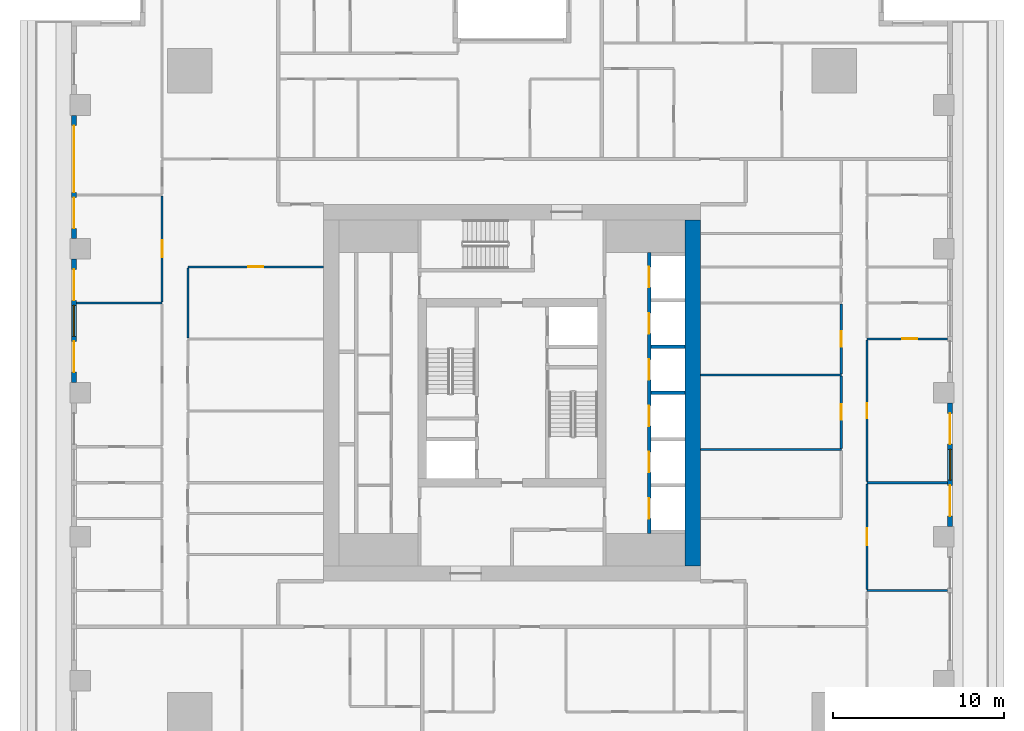
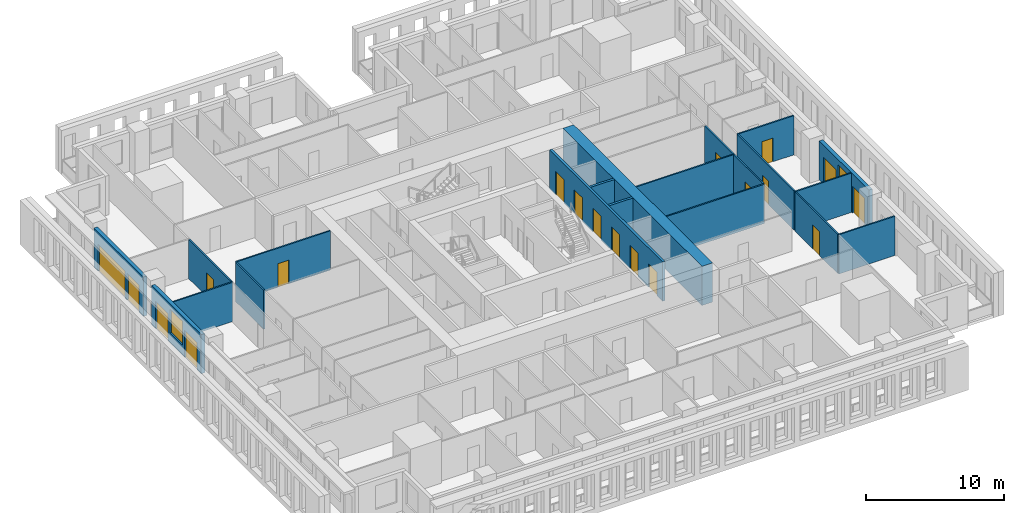
# One storey, part 6 of 16: 20 walls, 19 doors, 2 windows, 21 openings.
"""IFC4 building model written with IfcOpenShell, lengths in metres."""

from ifc_helpers import new_model, si_unit, direction, frame, frame_2d, origin, place, context, subcontext, project, spatial, rectangle, extrude, material, layer, layer_set, type_object, element, fill, save


model = new_model("IFC4")

# Units and contexts
model_context = context("Model", 3, precision=1e-05, world=origin(), true_north=direction((0.0, 1.0)))
body_context = subcontext(model_context, "Body", "Model", "MODEL_VIEW")
ifc_project = project(units=[si_unit("LENGTHUNIT", "METRE"), si_unit("AREAUNIT", "SQUARE_METRE"), si_unit("VOLUMEUNIT", "CUBIC_METRE"), si_unit("PLANEANGLEUNIT", "RADIAN"), si_unit("MASSUNIT", "GRAM", prefix="KILO")], contexts=[model_context])

# Site, building, storey
site_placement = place(None, origin())
site = spatial("IfcSite", under=ifc_project, at=site_placement, CompositionType="ELEMENT")
building_placement = place(site_placement, origin())
building = spatial("IfcBuilding", under=site, at=building_placement, Name="Khepri Terraces", CompositionType="ELEMENT")
storey_placement = place(building_placement, frame((0.0, 0.0, 137.699951171875)))
storey = spatial("IfcBuildingStorey", under=building, at=storey_placement, Name="L32", CompositionType="ELEMENT", Elevation=137.699951171875)

# Wall, openings, doors
ifc_material_1 = material(Name="Concrete C60/75", Category="concrete")
ifc_layer_1 = layer(ifc_material_1, 0.199951171875, Name="Concrete C60/75", Category="concrete")
ifc_layer_set_1 = layer_set([ifc_layer_1], Name="Concrete C60/75")
wall_type_1 = type_object("IfcWallType", Name="Core wall 200 C60/75", PredefinedType="SHEAR", material=ifc_layer_set_1)
wall_1_placement = place(storey_placement, frame((8.0, -8.199951171875, 0.0), z_axis=(0.0, 0.0, 1.0), x_axis=(0.0, 1.0, 0.0)))
wall_1 = element("IfcWall", 1, at=wall_1_placement, inside=storey, type_object=wall_type_1, Name="Core wall SH02 L32", PredefinedType="SHEAR", context=body_context, shape_type="SweptSolid", body=[
    extrude(rectangle(XDim=16.39990234375, YDim=0.199951171875, at=frame_2d((8.199951171875, 0.0))), origin(), (0.0, 0.0, 1.0), 3.47998046875),
])
opening_1_placement = place(wall_1_placement, frame((0.85009765625, 0.0, 0.0)))
opening_1 = element("IfcOpeningElement", 2, at=opening_1_placement, cuts=wall_1, Name="Opening L32-C01", PredefinedType="OPENING", context=body_context, shape_type="SweptSolid", body=[
    extrude(rectangle(XDim=1.199951171875, YDim=2.10009765625, at=frame_2d((0.60009765625, 1.050048828125))), frame((0.0, 0.10986328125, 0.0), z_axis=(0.0, -1.0, 0.0), x_axis=(1.0, 0.0, 0.0)), (0.0, 0.0, 1.0), 0.219970703125),
])
opening_2_placement = place(wall_1_placement, frame((3.550048828125, 0.0, 0.0)))
opening_2 = element("IfcOpeningElement", 3, at=opening_2_placement, cuts=wall_1, Name="Opening L32-C02", PredefinedType="OPENING", context=body_context, shape_type="SweptSolid", body=[
    extrude(rectangle(XDim=1.199951171875, YDim=2.10009765625, at=frame_2d((0.60009765625, 1.050048828125))), frame((0.0, 0.10986328125, 0.0), z_axis=(0.0, -1.0, 0.0), x_axis=(1.0, 0.0, 0.0)), (0.0, 0.0, 1.0), 0.219970703125),
])
opening_3_placement = place(wall_1_placement, frame((6.25, 0.0, 0.0)))
opening_3 = element("IfcOpeningElement", 4, at=opening_3_placement, cuts=wall_1, Name="Opening L32-C03", PredefinedType="OPENING", context=body_context, shape_type="SweptSolid", body=[
    extrude(rectangle(XDim=1.199951171875, YDim=2.10009765625, at=frame_2d((0.60009765625, 1.050048828125))), frame((0.0, 0.10986328125, 0.0), z_axis=(0.0, -1.0, 0.0), x_axis=(1.0, 0.0, 0.0)), (0.0, 0.0, 1.0), 0.219970703125),
])
opening_4_placement = place(wall_1_placement, frame((8.949951171875, 0.0, 0.0)))
opening_4 = element("IfcOpeningElement", 5, at=opening_4_placement, cuts=wall_1, Name="Opening L32-C04", PredefinedType="OPENING", context=body_context, shape_type="SweptSolid", body=[
    extrude(rectangle(XDim=1.199951171875, YDim=2.10009765625, at=frame_2d((0.60009765625, 1.050048828125))), frame((0.0, 0.10986328125, 0.0), z_axis=(0.0, -1.0, 0.0), x_axis=(1.0, 0.0, 0.0)), (0.0, 0.0, 1.0), 0.219970703125),
])
opening_5_placement = place(wall_1_placement, frame((11.64990234375, 0.0, 0.0)))
opening_5 = element("IfcOpeningElement", 6, at=opening_5_placement, cuts=wall_1, Name="Opening L32-C05", PredefinedType="OPENING", context=body_context, shape_type="SweptSolid", body=[
    extrude(rectangle(XDim=1.199951171875, YDim=2.10009765625, at=frame_2d((0.60009765625, 1.050048828125))), frame((0.0, 0.10986328125, 0.0), z_axis=(0.0, -1.0, 0.0), x_axis=(1.0, 0.0, 0.0)), (0.0, 0.0, 1.0), 0.219970703125),
])
opening_6_placement = place(wall_1_placement, frame((14.35009765625, 0.0, 0.0)))
opening_6 = element("IfcOpeningElement", 7, at=opening_6_placement, cuts=wall_1, Name="Opening L32-C06", PredefinedType="OPENING", context=body_context, shape_type="SweptSolid", body=[
    extrude(rectangle(XDim=1.199951171875, YDim=2.10009765625, at=frame_2d((0.60009765625, 1.050048828125))), frame((0.0, 0.10986328125, 0.0), z_axis=(0.0, -1.0, 0.0), x_axis=(1.0, 0.0, 0.0)), (0.0, 0.0, 1.0), 0.219970703125),
])
ifc_material_2 = material(Name="Stainless steel 304", Category="steel")
door_type_1 = type_object("IfcDoorType", Name="DR-CORE-LANDING-1200", OperationType="NOTDEFINED", PredefinedType="DOOR", material=ifc_material_2)
door_1_placement = place(opening_1_placement, origin())
door_1 = element("IfcDoor", 8, at=door_1_placement, inside=storey, type_object=door_type_1, Name="Lift landing door L32-C01", OperationType="SLIDING_TO_LEFT", OverallHeight=2.10009765625, OverallWidth=1.199951171875, PredefinedType="DOOR", context=body_context, shape_type="SweptSolid", body=[
    extrude(rectangle(XDim=1.199951171875, YDim=2.10009765625, at=frame_2d((0.60009765625, 1.050048828125))), frame((0.0, 0.02490234375, 0.0), z_axis=(0.0, -1.0, 0.0), x_axis=(1.0, 0.0, 0.0)), (0.0, 0.0, 1.0), 0.050048828125),
])
fill(opening_1, door_1)
door_2_placement = place(opening_2_placement, origin())
door_2 = element("IfcDoor", 9, at=door_2_placement, inside=storey, type_object=door_type_1, Name="Lift landing door L32-C02", OperationType="SLIDING_TO_LEFT", OverallHeight=2.10009765625, OverallWidth=1.199951171875, PredefinedType="DOOR", context=body_context, shape_type="SweptSolid", body=[
    extrude(rectangle(XDim=1.199951171875, YDim=2.10009765625, at=frame_2d((0.60009765625, 1.050048828125))), frame((0.0, 0.02490234375, 0.0), z_axis=(0.0, -1.0, 0.0), x_axis=(1.0, 0.0, 0.0)), (0.0, 0.0, 1.0), 0.050048828125),
])
fill(opening_2, door_2)
door_3_placement = place(opening_3_placement, origin())
door_3 = element("IfcDoor", 10, at=door_3_placement, inside=storey, type_object=door_type_1, Name="Lift landing door L32-C03", OperationType="SLIDING_TO_LEFT", OverallHeight=2.10009765625, OverallWidth=1.199951171875, PredefinedType="DOOR", context=body_context, shape_type="SweptSolid", body=[
    extrude(rectangle(XDim=1.199951171875, YDim=2.10009765625, at=frame_2d((0.60009765625, 1.050048828125))), frame((0.0, 0.02490234375, 0.0), z_axis=(0.0, -1.0, 0.0), x_axis=(1.0, 0.0, 0.0)), (0.0, 0.0, 1.0), 0.050048828125),
])
fill(opening_3, door_3)
door_4_placement = place(opening_4_placement, origin())
door_4 = element("IfcDoor", 11, at=door_4_placement, inside=storey, type_object=door_type_1, Name="Lift landing door L32-C04", OperationType="SLIDING_TO_LEFT", OverallHeight=2.10009765625, OverallWidth=1.199951171875, PredefinedType="DOOR", context=body_context, shape_type="SweptSolid", body=[
    extrude(rectangle(XDim=1.199951171875, YDim=2.10009765625, at=frame_2d((0.60009765625, 1.050048828125))), frame((0.0, 0.02490234375, 0.0), z_axis=(0.0, -1.0, 0.0), x_axis=(1.0, 0.0, 0.0)), (0.0, 0.0, 1.0), 0.050048828125),
])
fill(opening_4, door_4)
door_5_placement = place(opening_5_placement, origin())
door_5 = element("IfcDoor", 12, at=door_5_placement, inside=storey, type_object=door_type_1, Name="Lift landing door L32-C05", OperationType="SLIDING_TO_LEFT", OverallHeight=2.10009765625, OverallWidth=1.199951171875, PredefinedType="DOOR", context=body_context, shape_type="SweptSolid", body=[
    extrude(rectangle(XDim=1.199951171875, YDim=2.10009765625, at=frame_2d((0.60009765625, 1.050048828125))), frame((0.0, 0.02490234375, 0.0), z_axis=(0.0, -1.0, 0.0), x_axis=(1.0, 0.0, 0.0)), (0.0, 0.0, 1.0), 0.050048828125),
])
fill(opening_5, door_5)
door_6_placement = place(opening_6_placement, origin())
door_6 = element("IfcDoor", 13, at=door_6_placement, inside=storey, type_object=door_type_1, Name="Lift landing door L32-C06", OperationType="SLIDING_TO_LEFT", OverallHeight=2.10009765625, OverallWidth=1.199951171875, PredefinedType="DOOR", context=body_context, shape_type="SweptSolid", body=[
    extrude(rectangle(XDim=1.199951171875, YDim=2.10009765625, at=frame_2d((0.60009765625, 1.050048828125))), frame((0.0, 0.02490234375, 0.0), z_axis=(0.0, -1.0, 0.0), x_axis=(1.0, 0.0, 0.0)), (0.0, 0.0, 1.0), 0.050048828125),
])
fill(opening_6, door_6)

# Walls
for number, where, z_axis, x_axis, name in (
    (14, (8.10009765625, 0.0, 0.0), (0.0, 0.0, 1.0), (1.0, 0.0, 0.0), "Core wall SH09 L32"),
    (15, (8.10009765625, 2.699951171875, 0.0), (0.0, 0.0, 1.0), (1.0, 0.0, 0.0), "Core wall SH13 L32"),
):
    element("IfcWall", number, at=place(storey_placement, frame(where, z_axis=z_axis, x_axis=x_axis)), inside=storey, type_object=wall_type_1, Name=name, PredefinedType="SHEAR", context=body_context, shape_type="SweptSolid", body=[
        extrude(rectangle(XDim=2.0, YDim=0.199951171875, at=frame_2d((1.0, 0.0))), origin(), (0.0, 0.0, 1.0), 3.47998046875),
    ])
ifc_layer_2 = layer(ifc_material_1, 0.89990234375, Name="Concrete C60/75", Category="concrete")
ifc_layer_set_2 = layer_set([ifc_layer_2], Name="Concrete C60/75")
wall_type_2 = type_object("IfcWallType", Name="Core wall 900 C60/75", PredefinedType="SHEAR", material=ifc_layer_set_2)
wall_2_placement = place(storey_placement, frame((10.550048828125, -10.10009765625, 0.0), z_axis=(0.0, 0.0, 1.0), x_axis=(0.0, 1.0, 0.0)))
element("IfcWall", 16, at=wall_2_placement, inside=storey, type_object=wall_type_2, Name="Core wall OW-E L32", PredefinedType="SHEAR", context=body_context, shape_type="SweptSolid", body=[
    extrude(rectangle(XDim=20.2001953125, YDim=0.89990234375, at=frame_2d((10.10009765625, 0.0))), origin(), (0.0, 0.0, 1.0), 3.47998046875),
])

# Wall, openings, doors, window
ifc_material_3 = material(Name="Precast concrete C50/60 warm stone", Category="masonry")
ifc_layer_3 = layer(ifc_material_3, 0.300048828125, Name="Precast concrete C50/60 warm stone", Category="masonry")
ifc_layer_set_3 = layer_set([ifc_layer_3], Name="Precast concrete C50/60 warm stone")
wall_type_3 = type_object("IfcWallType", Name="WL-EXT-PRECAST-300", PredefinedType="STANDARD", material=ifc_layer_set_3)
wall_3_placement = place(storey_placement, frame((25.570068359375, -7.800048828125, 0.0), z_axis=(0.0, 0.0, 1.0), x_axis=(0.0, 1.0, 0.0)))
wall_3 = element("IfcWall", 17, at=wall_3_placement, inside=storey, type_object=wall_type_3, Name="External wall L32 E", PredefinedType="STANDARD", context=body_context, shape_type="SweptSolid", body=[
    extrude(rectangle(XDim=7.199951171875, YDim=0.300048828125, at=frame_2d((3.60009765625, 0.0))), origin(), (0.0, 0.0, 1.0), 3.47998046875),
])
opening_7_placement = place(wall_3_placement, frame((0.60009765625, 0.0, 0.0)))
opening_7 = element("IfcOpeningElement", 18, at=opening_7_placement, cuts=wall_3, Name="Opening ED-L32-04", PredefinedType="OPENING", context=body_context, shape_type="SweptSolid", body=[
    extrude(rectangle(XDim=1.800048828125, YDim=2.39990234375, at=frame_2d((0.89990234375, 1.199951171875))), frame((0.0, 0.16015625, 0.0), z_axis=(0.0, -1.0, 0.0), x_axis=(1.0, 0.0, 0.0)), (0.0, 0.0, 1.0), 0.320068359375),
])
opening_8_placement = place(wall_3_placement, frame((2.699951171875, 0.0, 0.89990234375)))
opening_8 = element("IfcOpeningElement", 19, at=opening_8_placement, cuts=wall_3, Name="Opening W1", PredefinedType="OPENING", context=body_context, shape_type="SweptSolid", body=[
    extrude(rectangle(XDim=1.800048828125, YDim=2.10009765625, at=frame_2d((0.89990234375, 1.050048828125))), frame((0.0, 0.16015625, 0.0), z_axis=(0.0, -1.0, 0.0), x_axis=(1.0, 0.0, 0.0)), (0.0, 0.0, 1.0), 0.320068359375),
])
opening_9_placement = place(wall_3_placement, frame((4.800048828125, 0.0, 0.0)))
opening_9 = element("IfcOpeningElement", 20, at=opening_9_placement, cuts=wall_3, Name="Opening ED-L32-05", PredefinedType="OPENING", context=body_context, shape_type="SweptSolid", body=[
    extrude(rectangle(XDim=1.800048828125, YDim=2.39990234375, at=frame_2d((0.89990234375, 1.199951171875))), frame((0.0, 0.16015625, 0.0), z_axis=(0.0, -1.0, 0.0), x_axis=(1.0, 0.0, 0.0)), (0.0, 0.0, 1.0), 0.320068359375),
])
ifc_material_4 = material(Name="Anodised aluminium bronze glazed door", Category="aluminium")
door_type_2 = type_object("IfcDoorType", Name="DR-BAL-SLIDE-1800x2400", OperationType="NOTDEFINED", PredefinedType="DOOR", material=ifc_material_4)
door_7_placement = place(opening_7_placement, origin())
door_7 = element("IfcDoor", 21, at=door_7_placement, inside=storey, type_object=door_type_2, Name="Balcony door L32 E", OperationType="SLIDING_TO_LEFT", OverallHeight=2.39990234375, OverallWidth=1.800048828125, PredefinedType="DOOR", context=body_context, shape_type="SweptSolid", body=[
    extrude(rectangle(XDim=1.800048828125, YDim=2.39990234375, at=frame_2d((0.89990234375, 1.199951171875))), frame((0.0, 0.02490234375, 0.0), z_axis=(0.0, -1.0, 0.0), x_axis=(1.0, 0.0, 0.0)), (0.0, 0.0, 1.0), 0.050048828125),
])
fill(opening_7, door_7)
door_8_placement = place(opening_9_placement, origin())
door_8 = element("IfcDoor", 22, at=door_8_placement, inside=storey, type_object=door_type_2, Name="Balcony door L32 E", OperationType="SLIDING_TO_RIGHT", OverallHeight=2.39990234375, OverallWidth=1.800048828125, PredefinedType="DOOR", context=body_context, shape_type="SweptSolid", body=[
    extrude(rectangle(XDim=1.800048828125, YDim=2.39990234375, at=frame_2d((0.89990234375, 1.199951171875))), frame((0.0, 0.02490234375, 0.0), z_axis=(0.0, -1.0, 0.0), x_axis=(1.0, 0.0, 0.0)), (0.0, 0.0, 1.0), 0.050048828125),
])
fill(opening_9, door_8)
ifc_material_5 = material(Name="Clear glass", Category="glass")
window_type = type_object("IfcWindowType", Name="WIN-RES-1800x2100", PartitioningType="SINGLE_PANEL", PredefinedType="WINDOW", material=ifc_material_5)
window_1_placement = place(opening_8_placement, origin())
window_1 = element("IfcWindow", 23, at=window_1_placement, inside=storey, type_object=window_type, Name="Window L32 E", OverallHeight=2.10009765625, OverallWidth=1.800048828125, PartitioningType="SINGLE_PANEL", PredefinedType="WINDOW", context=body_context, shape_type="SweptSolid", body=[
    extrude(rectangle(XDim=1.800048828125, YDim=2.10009765625, at=frame_2d((0.89990234375, 1.050048828125))), frame((0.0, 0.030029296875, 0.0), z_axis=(0.0, -1.0, 0.0), x_axis=(1.0, 0.0, 0.0)), (0.0, 0.0, 1.0), 0.06005859375),
])
fill(opening_8, window_1)

# Wall, openings, doors
wall_4_placement = place(storey_placement, frame((-25.570068359375, 16.199951171875, 0.0), z_axis=(0.0, 0.0, 1.0), x_axis=(0.0, -1.0, 0.0)))
wall_4 = element("IfcWall", 24, at=wall_4_placement, inside=storey, type_object=wall_type_3, Name="External wall L32 W", PredefinedType="STANDARD", context=body_context, shape_type="SweptSolid", body=[
    extrude(rectangle(XDim=7.199951171875, YDim=0.300048828125, at=frame_2d((3.60009765625, 0.0))), origin(), (0.0, 0.0, 1.0), 3.47998046875),
])
opening_10_placement = place(wall_4_placement, frame((0.60009765625, 0.0, 0.0)))
opening_10 = element("IfcOpeningElement", 25, at=opening_10_placement, cuts=wall_4, Name="Opening ED-L32-12", PredefinedType="OPENING", context=body_context, shape_type="SweptSolid", body=[
    extrude(rectangle(XDim=3.89990234375, YDim=2.39990234375, at=frame_2d((1.949951171875, 1.199951171875))), frame((0.0, 0.16015625, 0.0), z_axis=(0.0, -1.0, 0.0), x_axis=(1.0, 0.0, 0.0)), (0.0, 0.0, 1.0), 0.320068359375),
])
opening_11_placement = place(wall_4_placement, frame((4.800048828125, 0.0, 0.0)))
opening_11 = element("IfcOpeningElement", 26, at=opening_11_placement, cuts=wall_4, Name="Opening ED-L32-13", PredefinedType="OPENING", context=body_context, shape_type="SweptSolid", body=[
    extrude(rectangle(XDim=1.800048828125, YDim=2.39990234375, at=frame_2d((0.89990234375, 1.199951171875))), frame((0.0, 0.16015625, 0.0), z_axis=(0.0, -1.0, 0.0), x_axis=(1.0, 0.0, 0.0)), (0.0, 0.0, 1.0), 0.320068359375),
])
door_9_placement = place(opening_11_placement, origin())
door_9 = element("IfcDoor", 27, at=door_9_placement, inside=storey, type_object=door_type_2, Name="Balcony door L32 W", OperationType="SLIDING_TO_RIGHT", OverallHeight=2.39990234375, OverallWidth=1.800048828125, PredefinedType="DOOR", context=body_context, shape_type="SweptSolid", body=[
    extrude(rectangle(XDim=1.800048828125, YDim=2.39990234375, at=frame_2d((0.89990234375, 1.199951171875))), frame((0.0, 0.02490234375, 0.0), z_axis=(0.0, -1.0, 0.0), x_axis=(1.0, 0.0, 0.0)), (0.0, 0.0, 1.0), 0.050048828125),
])
fill(opening_11, door_9)
door_type_3 = type_object("IfcDoorType", Name="DR-BAL-SLIDE-3900x2400", OperationType="NOTDEFINED", PredefinedType="DOOR", material=ifc_material_4)
door_10_placement = place(opening_10_placement, origin())
door_10 = element("IfcDoor", 28, at=door_10_placement, inside=storey, type_object=door_type_3, Name="Balcony door L32 W", OperationType="SLIDING_TO_LEFT", OverallHeight=2.39990234375, OverallWidth=3.89990234375, PredefinedType="DOOR", context=body_context, shape_type="SweptSolid", body=[
    extrude(rectangle(XDim=3.89990234375, YDim=2.39990234375, at=frame_2d((1.949951171875, 1.199951171875))), frame((0.0, 0.02490234375, 0.0), z_axis=(0.0, -1.0, 0.0), x_axis=(1.0, 0.0, 0.0)), (0.0, 0.0, 1.0), 0.050048828125),
])
fill(opening_10, door_10)

# Wall, openings, doors, window
wall_5_placement = place(storey_placement, frame((-25.570068359375, 7.800048828125, 0.0), z_axis=(0.0, 0.0, 1.0), x_axis=(0.0, -1.0, 0.0)))
wall_5 = element("IfcWall", 29, at=wall_5_placement, inside=storey, type_object=wall_type_3, Name="External wall L32 W", PredefinedType="STANDARD", context=body_context, shape_type="SweptSolid", body=[
    extrude(rectangle(XDim=7.199951171875, YDim=0.300048828125, at=frame_2d((3.60009765625, 0.0))), origin(), (0.0, 0.0, 1.0), 3.47998046875),
])
opening_12_placement = place(wall_5_placement, frame((0.60009765625, 0.0, 0.0)))
opening_12 = element("IfcOpeningElement", 30, at=opening_12_placement, cuts=wall_5, Name="Opening ED-L32-14", PredefinedType="OPENING", context=body_context, shape_type="SweptSolid", body=[
    extrude(rectangle(XDim=1.800048828125, YDim=2.39990234375, at=frame_2d((0.89990234375, 1.199951171875))), frame((0.0, 0.16015625, 0.0), z_axis=(0.0, -1.0, 0.0), x_axis=(1.0, 0.0, 0.0)), (0.0, 0.0, 1.0), 0.320068359375),
])
opening_13_placement = place(wall_5_placement, frame((2.699951171875, 0.0, 0.89990234375)))
opening_13 = element("IfcOpeningElement", 31, at=opening_13_placement, cuts=wall_5, Name="Opening W1", PredefinedType="OPENING", context=body_context, shape_type="SweptSolid", body=[
    extrude(rectangle(XDim=1.800048828125, YDim=2.10009765625, at=frame_2d((0.89990234375, 1.050048828125))), frame((0.0, 0.16015625, 0.0), z_axis=(0.0, -1.0, 0.0), x_axis=(1.0, 0.0, 0.0)), (0.0, 0.0, 1.0), 0.320068359375),
])
opening_14_placement = place(wall_5_placement, frame((4.800048828125, 0.0, 0.0)))
opening_14 = element("IfcOpeningElement", 32, at=opening_14_placement, cuts=wall_5, Name="Opening ED-L32-15", PredefinedType="OPENING", context=body_context, shape_type="SweptSolid", body=[
    extrude(rectangle(XDim=1.800048828125, YDim=2.39990234375, at=frame_2d((0.89990234375, 1.199951171875))), frame((0.0, 0.16015625, 0.0), z_axis=(0.0, -1.0, 0.0), x_axis=(1.0, 0.0, 0.0)), (0.0, 0.0, 1.0), 0.320068359375),
])
door_11_placement = place(opening_12_placement, origin())
door_11 = element("IfcDoor", 33, at=door_11_placement, inside=storey, type_object=door_type_2, Name="Balcony door L32 W", OperationType="SLIDING_TO_LEFT", OverallHeight=2.39990234375, OverallWidth=1.800048828125, PredefinedType="DOOR", context=body_context, shape_type="SweptSolid", body=[
    extrude(rectangle(XDim=1.800048828125, YDim=2.39990234375, at=frame_2d((0.89990234375, 1.199951171875))), frame((0.0, 0.02490234375, 0.0), z_axis=(0.0, -1.0, 0.0), x_axis=(1.0, 0.0, 0.0)), (0.0, 0.0, 1.0), 0.050048828125),
])
fill(opening_12, door_11)
door_12_placement = place(opening_14_placement, origin())
door_12 = element("IfcDoor", 34, at=door_12_placement, inside=storey, type_object=door_type_2, Name="Balcony door L32 W", OperationType="SLIDING_TO_RIGHT", OverallHeight=2.39990234375, OverallWidth=1.800048828125, PredefinedType="DOOR", context=body_context, shape_type="SweptSolid", body=[
    extrude(rectangle(XDim=1.800048828125, YDim=2.39990234375, at=frame_2d((0.89990234375, 1.199951171875))), frame((0.0, 0.02490234375, 0.0), z_axis=(0.0, -1.0, 0.0), x_axis=(1.0, 0.0, 0.0)), (0.0, 0.0, 1.0), 0.050048828125),
])
fill(opening_14, door_12)
window_2_placement = place(opening_13_placement, origin())
window_2 = element("IfcWindow", 35, at=window_2_placement, inside=storey, type_object=window_type, Name="Window L32 W", OverallHeight=2.10009765625, OverallWidth=1.800048828125, PartitioningType="SINGLE_PANEL", PredefinedType="WINDOW", context=body_context, shape_type="SweptSolid", body=[
    extrude(rectangle(XDim=1.800048828125, YDim=2.10009765625, at=frame_2d((0.89990234375, 1.050048828125))), frame((0.0, 0.030029296875, 0.0), z_axis=(0.0, -1.0, 0.0), x_axis=(1.0, 0.0, 0.0)), (0.0, 0.0, 1.0), 0.06005859375),
])
fill(opening_13, window_2)

# Wall
ifc_material_6 = material(Name="Gypsum plasterboard partition")
ifc_layer_4 = layer(ifc_material_6, 0.1201171875, Name="Gypsum plasterboard partition")
ifc_layer_set_4 = layer_set([ifc_layer_4], Name="Gypsum plasterboard partition")
wall_type_4 = type_object("IfcWallType", Name="WL-PART-120", PredefinedType="PARTITIONING", material=ifc_layer_set_4)
wall_6_placement = place(storey_placement, frame((20.719970703125, -11.550048828125, 0.0), z_axis=(0.0, 0.0, 1.0), x_axis=(1.0, 0.0, 0.0)))
element("IfcWall", 36, at=wall_6_placement, inside=storey, type_object=wall_type_4, Name="Partition P-033 L32", PredefinedType="PARTITIONING", context=body_context, shape_type="SweptSolid", body=[
    extrude(rectangle(XDim=4.699951171875, YDim=0.1201171875, at=frame_2d((2.35009765625, 0.0))), origin(), (0.0, 0.0, 1.0), 3.47998046875),
])

# Wall, opening, door
wall_7_placement = place(storey_placement, frame((20.719970703125, -11.489990234375, 0.0), z_axis=(0.0, 0.0, 1.0), x_axis=(0.0, 1.0, 0.0)))
wall_7 = element("IfcWall", 37, at=wall_7_placement, inside=storey, type_object=wall_type_4, Name="Partition P-035 L32", PredefinedType="PARTITIONING", context=body_context, shape_type="SweptSolid", body=[
    extrude(rectangle(XDim=6.179931640625, YDim=0.1201171875, at=frame_2d((3.08984375, 0.0))), origin(), (0.0, 0.0, 1.0), 3.47998046875),
])
opening_15_placement = place(wall_7_placement, frame((2.590087890625, 0.0, 0.0)))
opening_15 = element("IfcOpeningElement", 38, at=opening_15_placement, cuts=wall_7, Name="Opening D2", PredefinedType="OPENING", context=body_context, shape_type="SweptSolid", body=[
    extrude(rectangle(XDim=1.0, YDim=2.10009765625, at=frame_2d((0.5, 1.050048828125))), frame((0.0, 0.070068359375, 0.0), z_axis=(0.0, -1.0, 0.0), x_axis=(1.0, 0.0, 0.0)), (0.0, 0.0, 1.0), 0.14013671875),
])
ifc_material_7 = material(Name="Timber door leaf, living room door", Category="wood")
door_type_4 = type_object("IfcDoorType", Name="DR-INT-1000", OperationType="NOTDEFINED", PredefinedType="DOOR", material=ifc_material_7)
door_13_placement = place(opening_15_placement, frame((1.0, 0.0, 0.0), z_axis=(0.0, 0.0, 1.0), x_axis=(-1.0, 0.0, 0.0)))
door_13 = element("IfcDoor", 39, at=door_13_placement, inside=storey, type_object=door_type_4, Name="Door Family Room", OperationType="SINGLE_SWING_RIGHT", OverallHeight=2.10009765625, OverallWidth=1.0, PredefinedType="DOOR", context=body_context, shape_type="SweptSolid", body=[
    extrude(rectangle(XDim=1.0, YDim=2.10009765625, at=frame_2d((0.5, 1.050048828125))), frame((0.0, 0.02490234375, 0.0), z_axis=(0.0, -1.0, 0.0), x_axis=(1.0, 0.0, 0.0)), (0.0, 0.0, 1.0), 0.050048828125),
])
fill(opening_15, door_13)

# Wall
wall_8_placement = place(storey_placement, frame((20.719970703125, -5.25, 0.0), z_axis=(0.0, 0.0, 1.0), x_axis=(1.0, 0.0, 0.0)))
element("IfcWall", 40, at=wall_8_placement, inside=storey, type_object=wall_type_4, Name="Partition P-048 L32", PredefinedType="PARTITIONING", context=body_context, shape_type="SweptSolid", body=[
    extrude(rectangle(XDim=4.699951171875, YDim=0.1201171875, at=frame_2d((2.35009765625, 0.0))), origin(), (0.0, 0.0, 1.0), 3.47998046875),
])

# Wall, opening, door
wall_9_placement = place(storey_placement, frame((20.719970703125, -5.18994140625, 0.0), z_axis=(0.0, 0.0, 1.0), x_axis=(0.0, 1.0, 0.0)))
wall_9 = element("IfcWall", 41, at=wall_9_placement, inside=storey, type_object=wall_type_4, Name="Partition P-051 L32", PredefinedType="PARTITIONING", context=body_context, shape_type="SweptSolid", body=[
    extrude(rectangle(XDim=8.280029296875, YDim=0.1201171875, at=frame_2d((4.14013671875, 0.0))), origin(), (0.0, 0.0, 1.0), 3.47998046875),
])
opening_16_placement = place(wall_9_placement, frame((3.68994140625, 0.0, 0.0)))
opening_16 = element("IfcOpeningElement", 42, at=opening_16_placement, cuts=wall_9, Name="Opening D3", PredefinedType="OPENING", context=body_context, shape_type="SweptSolid", body=[
    extrude(rectangle(XDim=0.89990234375, YDim=2.10009765625, at=frame_2d((0.449951171875, 1.050048828125))), frame((0.0, 0.070068359375, 0.0), z_axis=(0.0, -1.0, 0.0), x_axis=(1.0, 0.0, 0.0)), (0.0, 0.0, 1.0), 0.14013671875),
])
ifc_material_8 = material(Name="Timber door leaf", Category="wood")
door_type_5 = type_object("IfcDoorType", Name="DR-INT-900", OperationType="NOTDEFINED", PredefinedType="DOOR", material=ifc_material_8)
door_14_placement = place(opening_16_placement, frame((0.89990234375, 0.0, 0.0), z_axis=(0.0, 0.0, 1.0), x_axis=(-1.0, 0.0, 0.0)))
door_14 = element("IfcDoor", 43, at=door_14_placement, inside=storey, type_object=door_type_5, Name="Door Master Bedroom", OperationType="SINGLE_SWING_LEFT", OverallHeight=2.10009765625, OverallWidth=0.89990234375, PredefinedType="DOOR", context=body_context, shape_type="SweptSolid", body=[
    extrude(rectangle(XDim=0.89990234375, YDim=2.10009765625, at=frame_2d((0.449951171875, 1.050048828125))), frame((0.0, 0.02490234375, 0.0), z_axis=(0.0, -1.0, 0.0), x_axis=(1.0, 0.0, 0.0)), (0.0, 0.0, 1.0), 0.050048828125),
])
fill(opening_16, door_14)

# Wall
wall_10_placement = place(storey_placement, frame((11.0, -3.300048828125, 0.0), z_axis=(0.0, 0.0, 1.0), x_axis=(1.0, 0.0, 0.0)))
element("IfcWall", 44, at=wall_10_placement, inside=storey, type_object=wall_type_4, Name="Partition P-052 L32", PredefinedType="PARTITIONING", context=body_context, shape_type="SweptSolid", body=[
    extrude(rectangle(XDim=8.219970703125, YDim=0.1201171875, at=frame_2d((4.10986328125, 0.0))), origin(), (0.0, 0.0, 1.0), 3.47998046875),
])

# Wall, opening, door
wall_11_placement = place(storey_placement, frame((19.219970703125, -3.239990234375, 0.0), z_axis=(0.0, 0.0, 1.0), x_axis=(0.0, 1.0, 0.0)))
wall_11 = element("IfcWall", 45, at=wall_11_placement, inside=storey, type_object=wall_type_4, Name="Partition P-053 L32", PredefinedType="PARTITIONING", context=body_context, shape_type="SweptSolid", body=[
    extrude(rectangle(XDim=4.22998046875, YDim=0.1201171875, at=frame_2d((2.114990234375, 0.0))), origin(), (0.0, 0.0, 1.0), 3.47998046875),
])
opening_17_placement = place(wall_11_placement, frame((1.6650390625, 0.0, 0.0)))
opening_17 = element("IfcOpeningElement", 46, at=opening_17_placement, cuts=wall_11, Name="Opening D3", PredefinedType="OPENING", context=body_context, shape_type="SweptSolid", body=[
    extrude(rectangle(XDim=0.89990234375, YDim=2.10009765625, at=frame_2d((0.449951171875, 1.050048828125))), frame((0.0, 0.070068359375, 0.0), z_axis=(0.0, -1.0, 0.0), x_axis=(1.0, 0.0, 0.0)), (0.0, 0.0, 1.0), 0.14013671875),
])
door_15_placement = place(opening_17_placement, origin())
door_15 = element("IfcDoor", 47, at=door_15_placement, inside=storey, type_object=door_type_5, Name="Door Service Kitchen", OperationType="SINGLE_SWING_RIGHT", OverallHeight=2.10009765625, OverallWidth=0.89990234375, PredefinedType="DOOR", context=body_context, shape_type="SweptSolid", body=[
    extrude(rectangle(XDim=0.89990234375, YDim=2.10009765625, at=frame_2d((0.449951171875, 1.050048828125))), frame((0.0, 0.02490234375, 0.0), z_axis=(0.0, -1.0, 0.0), x_axis=(1.0, 0.0, 0.0)), (0.0, 0.0, 1.0), 0.050048828125),
])
fill(opening_17, door_15)

# Wall
wall_12_placement = place(storey_placement, frame((11.0, 1.050048828125, 0.0), z_axis=(0.0, 0.0, 1.0), x_axis=(1.0, 0.0, 0.0)))
element("IfcWall", 48, at=wall_12_placement, inside=storey, type_object=wall_type_4, Name="Partition P-058 L32", PredefinedType="PARTITIONING", context=body_context, shape_type="SweptSolid", body=[
    extrude(rectangle(XDim=8.219970703125, YDim=0.1201171875, at=frame_2d((4.10986328125, 0.0))), origin(), (0.0, 0.0, 1.0), 3.47998046875),
])

# Wall, opening, door
wall_13_placement = place(storey_placement, frame((19.219970703125, 1.110107421875, 0.0), z_axis=(0.0, 0.0, 1.0), x_axis=(0.0, 1.0, 0.0)))
wall_13 = element("IfcWall", 49, at=wall_13_placement, inside=storey, type_object=wall_type_4, Name="Partition P-059 L32", PredefinedType="PARTITIONING", context=body_context, shape_type="SweptSolid", body=[
    extrude(rectangle(XDim=4.079833984375, YDim=0.1201171875, at=frame_2d((2.0400390625, 0.0))), origin(), (0.0, 0.0, 1.0), 3.47998046875),
])
opening_18_placement = place(wall_13_placement, frame((1.590087890625, 0.0, 0.0)))
opening_18 = element("IfcOpeningElement", 50, at=opening_18_placement, cuts=wall_13, Name="Opening D3", PredefinedType="OPENING", context=body_context, shape_type="SweptSolid", body=[
    extrude(rectangle(XDim=0.89990234375, YDim=2.10009765625, at=frame_2d((0.449951171875, 1.050048828125))), frame((0.0, 0.070068359375, 0.0), z_axis=(0.0, -1.0, 0.0), x_axis=(1.0, 0.0, 0.0)), (0.0, 0.0, 1.0), 0.14013671875),
])
door_16_placement = place(opening_18_placement, origin())
door_16 = element("IfcDoor", 51, at=door_16_placement, inside=storey, type_object=door_type_5, Name="Door Staff Bedroom", OperationType="SINGLE_SWING_RIGHT", OverallHeight=2.10009765625, OverallWidth=0.89990234375, PredefinedType="DOOR", context=body_context, shape_type="SweptSolid", body=[
    extrude(rectangle(XDim=0.89990234375, YDim=2.10009765625, at=frame_2d((0.449951171875, 1.050048828125))), frame((0.0, 0.02490234375, 0.0), z_axis=(0.0, -1.0, 0.0), x_axis=(1.0, 0.0, 0.0)), (0.0, 0.0, 1.0), 0.050048828125),
])
fill(opening_18, door_16)

wall_14_placement = place(storey_placement, frame((20.719970703125, 3.14990234375, 0.0), z_axis=(0.0, 0.0, 1.0), x_axis=(1.0, 0.0, 0.0)))
wall_14 = element("IfcWall", 52, at=wall_14_placement, inside=storey, type_object=wall_type_4, Name="Partition P-061 L32", PredefinedType="PARTITIONING", context=body_context, shape_type="SweptSolid", body=[
    extrude(rectangle(XDim=4.699951171875, YDim=0.1201171875, at=frame_2d((2.35009765625, 0.0))), origin(), (0.0, 0.0, 1.0), 3.47998046875),
])
opening_19_placement = place(wall_14_placement, frame((2.050048828125, 0.0, 0.0)))
opening_19 = element("IfcOpeningElement", 53, at=opening_19_placement, cuts=wall_14, Name="Opening D3", PredefinedType="OPENING", context=body_context, shape_type="SweptSolid", body=[
    extrude(rectangle(XDim=0.89990234375, YDim=2.10009765625, at=frame_2d((0.449951171875, 1.050048828125))), frame((0.0, 0.070068359375, 0.0), z_axis=(0.0, -1.0, 0.0), x_axis=(1.0, 0.0, 0.0)), (0.0, 0.0, 1.0), 0.14013671875),
])
door_17_placement = place(opening_19_placement, origin())
door_17 = element("IfcDoor", 54, at=door_17_placement, inside=storey, type_object=door_type_5, Name="Door Dressing Room", OperationType="SINGLE_SWING_RIGHT", OverallHeight=2.10009765625, OverallWidth=0.89990234375, PredefinedType="DOOR", context=body_context, shape_type="SweptSolid", body=[
    extrude(rectangle(XDim=0.89990234375, YDim=2.10009765625, at=frame_2d((0.449951171875, 1.050048828125))), frame((0.0, 0.02490234375, 0.0), z_axis=(0.0, -1.0, 0.0), x_axis=(1.0, 0.0, 0.0)), (0.0, 0.0, 1.0), 0.050048828125),
])
fill(opening_19, door_17)

# Walls
wall_15_placement = place(storey_placement, frame((-18.919921875, 3.2099609375, 0.0), z_axis=(0.0, 0.0, 1.0), x_axis=(0.0, 1.0, 0.0)))
element("IfcWall", 55, at=wall_15_placement, inside=storey, type_object=wall_type_4, Name="Partition P-062 L32", PredefinedType="PARTITIONING", context=body_context, shape_type="SweptSolid", body=[
    extrude(rectangle(XDim=4.080078125, YDim=0.1201171875, at=frame_2d((2.0400390625, 0.0))), origin(), (0.0, 0.0, 1.0), 3.47998046875),
])
wall_16_placement = place(storey_placement, frame((-25.419921875, 5.25, 0.0), z_axis=(0.0, 0.0, 1.0), x_axis=(1.0, 0.0, 0.0)))
element("IfcWall", 56, at=wall_16_placement, inside=storey, type_object=wall_type_4, Name="Partition P-064 L32", PredefinedType="PARTITIONING", context=body_context, shape_type="SweptSolid", body=[
    extrude(rectangle(XDim=5.0, YDim=0.1201171875, at=frame_2d((2.5, 0.0))), origin(), (0.0, 0.0, 1.0), 3.47998046875),
])

# Wall, opening, door
wall_17_placement = place(storey_placement, frame((-20.419921875, 5.31005859375, 0.0), z_axis=(0.0, 0.0, 1.0), x_axis=(0.0, 1.0, 0.0)))
wall_17 = element("IfcWall", 57, at=wall_17_placement, inside=storey, type_object=wall_type_4, Name="Partition P-067 L32", PredefinedType="PARTITIONING", context=body_context, shape_type="SweptSolid", body=[
    extrude(rectangle(XDim=6.179931640625, YDim=0.1201171875, at=frame_2d((3.08984375, 0.0))), origin(), (0.0, 0.0, 1.0), 3.47998046875),
])
opening_20_placement = place(wall_17_placement, frame((2.590087890625, 0.0, 0.0)))
opening_20 = element("IfcOpeningElement", 58, at=opening_20_placement, cuts=wall_17, Name="Opening D2", PredefinedType="OPENING", context=body_context, shape_type="SweptSolid", body=[
    extrude(rectangle(XDim=1.0, YDim=2.10009765625, at=frame_2d((0.5, 1.050048828125))), frame((0.0, 0.070068359375, 0.0), z_axis=(0.0, -1.0, 0.0), x_axis=(1.0, 0.0, 0.0)), (0.0, 0.0, 1.0), 0.14013671875),
])
door_18_placement = place(opening_20_placement, origin())
door_18 = element("IfcDoor", 59, at=door_18_placement, inside=storey, type_object=door_type_4, Name="Door Family Room", OperationType="SINGLE_SWING_RIGHT", OverallHeight=2.10009765625, OverallWidth=1.0, PredefinedType="DOOR", context=body_context, shape_type="SweptSolid", body=[
    extrude(rectangle(XDim=1.0, YDim=2.10009765625, at=frame_2d((0.5, 1.050048828125))), frame((0.0, 0.02490234375, 0.0), z_axis=(0.0, -1.0, 0.0), x_axis=(1.0, 0.0, 0.0)), (0.0, 0.0, 1.0), 0.050048828125),
])
fill(opening_20, door_18)

wall_18_placement = place(storey_placement, frame((-18.919921875, 7.35009765625, 0.0), z_axis=(0.0, 0.0, 1.0), x_axis=(1.0, 0.0, 0.0)))
wall_18 = element("IfcWall", 60, at=wall_18_placement, inside=storey, type_object=wall_type_4, Name="Partition P-070 L32", PredefinedType="PARTITIONING", context=body_context, shape_type="SweptSolid", body=[
    extrude(rectangle(XDim=7.919921875, YDim=0.1201171875, at=frame_2d((3.9599609375, 0.0))), origin(), (0.0, 0.0, 1.0), 3.47998046875),
])
opening_21_placement = place(wall_18_placement, frame((3.510009765625, 0.0, 0.0)))
opening_21 = element("IfcOpeningElement", 61, at=opening_21_placement, cuts=wall_18, Name="Opening D3", PredefinedType="OPENING", context=body_context, shape_type="SweptSolid", body=[
    extrude(rectangle(XDim=0.89990234375, YDim=2.10009765625, at=frame_2d((0.449951171875, 1.050048828125))), frame((0.0, 0.070068359375, 0.0), z_axis=(0.0, -1.0, 0.0), x_axis=(1.0, 0.0, 0.0)), (0.0, 0.0, 1.0), 0.14013671875),
])
door_19_placement = place(opening_21_placement, frame((0.89990234375, 0.0, 0.0), z_axis=(0.0, 0.0, 1.0), x_axis=(-1.0, 0.0, 0.0)))
door_19 = element("IfcDoor", 62, at=door_19_placement, inside=storey, type_object=door_type_5, Name="Door Kitchen", OperationType="SINGLE_SWING_LEFT", OverallHeight=2.10009765625, OverallWidth=0.89990234375, PredefinedType="DOOR", context=body_context, shape_type="SweptSolid", body=[
    extrude(rectangle(XDim=0.89990234375, YDim=2.10009765625, at=frame_2d((0.449951171875, 1.050048828125))), frame((0.0, 0.02490234375, 0.0), z_axis=(0.0, -1.0, 0.0), x_axis=(1.0, 0.0, 0.0)), (0.0, 0.0, 1.0), 0.050048828125),
])
fill(opening_21, door_19)

save(model, "model.ifc")
